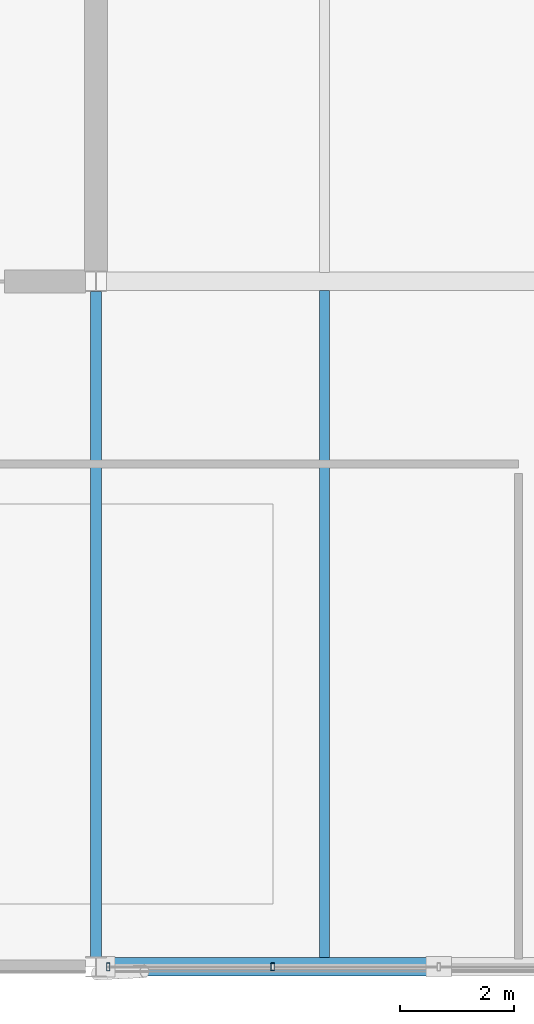
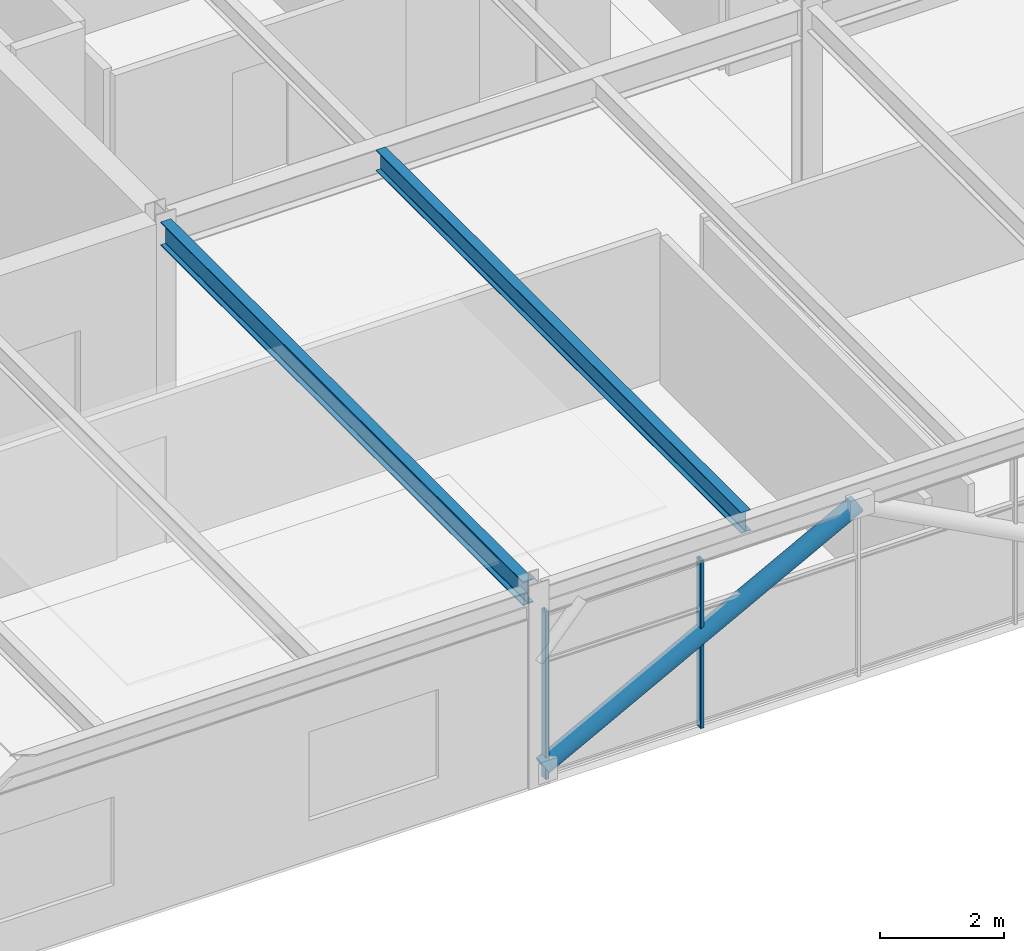
# One storey, part 5 of 32: 3 members, 2 beams, 1 element without a shape of its own.
"""IFC4 building model written with IfcOpenShell, lengths in metres."""

from ifc_helpers import new_model, si_unit, direction, frame, origin, origin_2d, place, context, subcontext, project, spatial, hollow_rectangle, hollow_circle, i_section, extrude, material, material_profile, profile_set, type_object, element, aggregate, save


model = new_model("IFC4")

# Units and contexts
model_context = context("Model", 3, precision=1e-05, world=origin(), true_north=direction((0.0, 1.0)))
body_context = subcontext(model_context, "Body", "Model", "MODEL_VIEW")
ifc_project = project(units=[si_unit("LENGTHUNIT", "METRE"), si_unit("AREAUNIT", "SQUARE_METRE"), si_unit("VOLUMEUNIT", "CUBIC_METRE"), si_unit("PLANEANGLEUNIT", "RADIAN"), si_unit("MASSUNIT", "GRAM", prefix="KILO")], contexts=[model_context])

# Site, building, storey
site_placement = place(None, origin())
site = spatial("IfcSite", under=ifc_project, at=site_placement, CompositionType="ELEMENT")
building_placement = place(site_placement, origin())
building = spatial("IfcBuilding", under=site, at=building_placement, Name="Girod Span Mobility Hub", CompositionType="ELEMENT")
storey_placement = place(building_placement, frame((0.0, 0.0, 61.60009765625)))
storey = spatial("IfcBuildingStorey", under=building, at=storey_placement, Name="L15", CompositionType="ELEMENT", Elevation=61.60009765625)

# Beams
ifc_material_1 = material(Name="Steel A992 Grade 50", Category="steel")
ifc_material_profile_1 = material_profile(ifc_material_1, i_section(OverallWidth=0.178955078125, OverallDepth=0.409912109375, WebThickness=0.0087890625, FlangeThickness=0.014404296875, FilletRadius=0.012939453125, at=origin_2d()), Name="W16X45")
ifc_profile_set_1 = profile_set([ifc_material_profile_1], Name="Steel A992 Grade 50")
beam_type_1 = type_object("IfcBeamType", Name="BM-STL-W16X45", PredefinedType="BEAM", material=ifc_profile_set_1)
beam_1_placement = place(storey_placement, frame((64.0, 45.10302734375, 3.635009765625), z_axis=(0.0, 1.0, 0.0), x_axis=(-1.0, 0.0, 0.0)))
element("IfcBeam", 1, at=beam_1_placement, inside=storey, type_object=beam_type_1, Name="Composite Floorbeam 6/D-1 L15", PredefinedType="BEAM", context=body_context, shape_type="SweptSolid", body=[
    extrude(i_section(OverallWidth=0.178955078125, OverallDepth=0.409912109375, WebThickness=0.0087890625, FlangeThickness=0.014404296875, FilletRadius=0.012939453125, at=origin_2d()), origin(), (0.0, 0.0, 1.0), 11.738037109375),
])
ifc_material_2 = material(Name="Steel A992 Grade 50", Category="steel")
ifc_material_profile_2 = material_profile(ifc_material_2, i_section(OverallWidth=0.19189453125, OverallDepth=0.462890625, WebThickness=0.010498046875, FlangeThickness=0.017578125, FilletRadius=0.013916015625, at=origin_2d()), Name="W18X60")
ifc_profile_set_2 = profile_set([ifc_material_profile_2], Name="Steel A992 Grade 50")
beam_type_2 = type_object("IfcBeamType", Name="BM-STL-W18X60", PredefinedType="BEAM", material=ifc_profile_set_2)
beam_2_placement = place(storey_placement, frame((60.0, 45.175048828125, 3.6083984375), z_axis=(0.0, 1.0, 0.0), x_axis=(-1.0, 0.0, 0.0)))
element("IfcBeam", 2, at=beam_2_placement, inside=storey, type_object=beam_type_2, Name="Tie Girder 6/D-E L15", PredefinedType="BEAM", context=body_context, shape_type="SweptSolid", body=[
    extrude(i_section(OverallWidth=0.19189453125, OverallDepth=0.462890625, WebThickness=0.010498046875, FlangeThickness=0.017578125, FilletRadius=0.013916015625, at=origin_2d()), origin(), (0.0, 0.0, 1.0), 11.64990234375),
])

# Curtain wall, members
ifc_material_3 = material(Name="Thermally Broken Anodised Aluminium", Category="aluminium")
curtain_wall_type = type_object("IfcCurtainWallType", Name="CW-1164X330", PredefinedType="USERDEFINED", material=ifc_material_3)
curtain_wall_placement = place(storey_placement, origin())
curtain_wall = element("IfcCurtainWall", 3, at=curtain_wall_placement, inside=storey, type_object=curtain_wall_type, Name="Unitised Curtain Wall CW-L15-S06 L15", ObjectType="UNITISED CURTAIN WALL", PredefinedType="USERDEFINED")
ifc_material_4 = material(Name="Thermally Broken Anodised Aluminium", Category="aluminium")
ifc_material_profile_3 = material_profile(ifc_material_4, hollow_rectangle(XDim=0.139892578125, YDim=0.06005859375, WallThickness=0.00341796875, InnerFilletRadius=0.00341796875, OuterFilletRadius=0.007080078125, at=origin_2d()), Name="CW-ML-60X140")
ifc_profile_set_3 = profile_set([ifc_material_profile_3], Name="Thermally Broken Anodised Aluminium")
member_type_1 = type_object("IfcMemberType", Name="CWM-ML-4", PredefinedType="MULLION", material=ifc_profile_set_3)
member_1_placement = place(storey_placement, frame((60.214599609375, 45.0, 0.0), z_axis=(0.0, 0.0, 1.0), x_axis=(0.0, 1.0, 0.0)))
member_1 = element("IfcMember", 4, at=member_1_placement, type_object=member_type_1, Name="Curtain Wall Mullion CW-L15-S06-M0", PredefinedType="MULLION", context=body_context, shape_type="SweptSolid", body=[
    extrude(hollow_rectangle(XDim=0.139892578125, YDim=0.06005859375, WallThickness=0.00341796875, InnerFilletRadius=0.00341796875, OuterFilletRadius=0.007080078125, at=origin_2d()), origin(), (0.0, 0.0, 1.0), 3.2958984375),
])
member_2_placement = place(storey_placement, frame((63.09130859375, 45.0, 0.0), z_axis=(0.0, 0.0, 1.0), x_axis=(0.0, 1.0, 0.0)))
member_2 = element("IfcMember", 5, at=member_2_placement, type_object=member_type_1, Name="Curtain Wall Mullion CW-L15-S06-M1", PredefinedType="MULLION", context=body_context, shape_type="SweptSolid", body=[
    extrude(hollow_rectangle(XDim=0.139892578125, YDim=0.06005859375, WallThickness=0.00341796875, InnerFilletRadius=0.00341796875, OuterFilletRadius=0.007080078125, at=origin_2d()), origin(), (0.0, 0.0, 1.0), 3.2958984375),
])
aggregate(curtain_wall, [member_1, member_2])

# Member
ifc_material_5 = material(Name="Steel HSS A500 Grade C", Category="steel")
ifc_material_profile_4 = material_profile(ifc_material_5, hollow_circle(Radius=0.162109375, WallThickness=0.01171875, at=origin_2d()), Name="HSS324X12.7")
ifc_profile_set_4 = profile_set([ifc_material_profile_4], Name="Steel HSS A500 Grade C")
member_type_2 = type_object("IfcMemberType", Name="MB-BR-HSS324", PredefinedType="BRACE", material=ifc_profile_set_4)
member_3_placement = place(storey_placement, frame((60.16455078125, 45.0, 0.25), z_axis=(0.882747253202, 0.0, 0.469848153093), x_axis=(0.0, 1.0, 0.0)))
element("IfcMember", 6, at=member_3_placement, inside=storey, type_object=member_type_2, Name="Upper Diagrid Brace 6/D-L L15", PredefinedType="BRACE", context=body_context, shape_type="SweptSolid", body=[
    extrude(hollow_circle(Radius=0.162109375, WallThickness=0.01171875, at=origin_2d()), origin(), (0.0, 0.0, 1.0), 6.610595703125),
])

save(model, "model.ifc")
